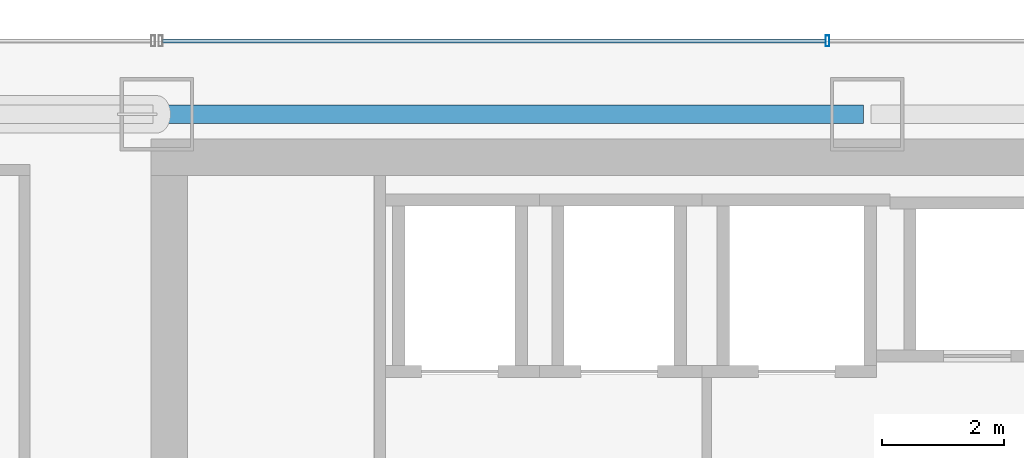
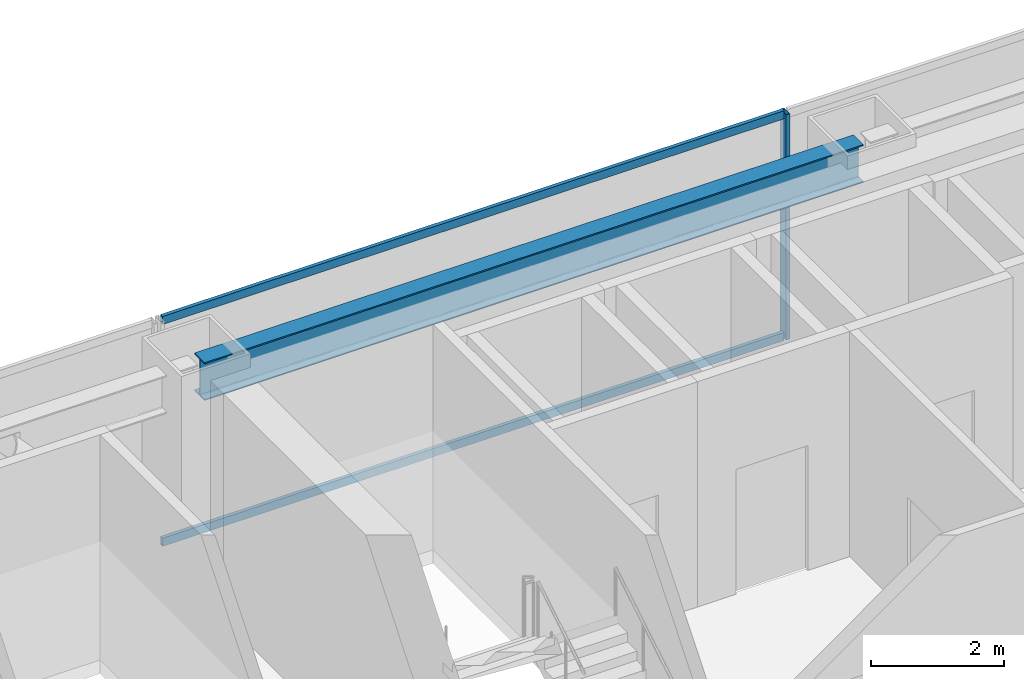
# One storey, part 27 of 47: 3 members, 1 beam, 1 element without a shape of its own.
"""IFC4 building model written with IfcOpenShell, lengths in metres."""

from ifc_helpers import new_model, si_unit, direction, frame, origin, origin_2d, place, context, subcontext, project, spatial, hollow_rectangle, i_section, extrude, material, material_profile, profile_set, type_object, element, aggregate, save


model = new_model("IFC4")

# Units and contexts
model_context = context("Model", 3, precision=1e-05, world=origin(), true_north=direction((0.0, 1.0)))
body_context = subcontext(model_context, "Body", "Model", "MODEL_VIEW")
ifc_project = project(units=[si_unit("LENGTHUNIT", "METRE"), si_unit("AREAUNIT", "SQUARE_METRE"), si_unit("VOLUMEUNIT", "CUBIC_METRE"), si_unit("PLANEANGLEUNIT", "RADIAN"), si_unit("MASSUNIT", "GRAM", prefix="KILO")], contexts=[model_context])

# Site, building, storey
site_placement = place(None, origin())
site = spatial("IfcSite", under=ifc_project, at=site_placement, CompositionType="ELEMENT")
building_placement = place(site_placement, origin())
building = spatial("IfcBuilding", under=site, at=building_placement, Name="Saevonmaru Cultural Tower", CompositionType="ELEMENT")
storey_placement = place(building_placement, frame((0.0, 0.0, 42.800048828125)))
storey = spatial("IfcBuildingStorey", under=building, at=storey_placement, Name="L08", CompositionType="ELEMENT", Elevation=42.800048828125)

# Beam
ifc_material_1 = material(Name="Steel SM355", Category="steel")
ifc_material_profile_1 = material_profile(ifc_material_1, i_section(OverallWidth=0.300048828125, OverallDepth=0.699951171875, WebThickness=0.012939453125, FlangeThickness=0.02392578125, FilletRadius=0.02587890625, at=origin_2d()), Name="H-700x300x13x24")
ifc_profile_set_1 = profile_set([ifc_material_profile_1], Name="Steel SM355")
beam_type = type_object("IfcBeamType", Name="BM-SP-H700", PredefinedType="SPANDREL", material=ifc_profile_set_1)
beam_placement = place(storey_placement, frame((13.659912109375, 54.800048828125, 3.800048828125), z_axis=(1.0, 0.0, 0.0), x_axis=(0.0, 1.0, 0.0)))
element("IfcBeam", 1, at=beam_placement, inside=storey, type_object=beam_type, Name="L08 North Spine Girder 2", PredefinedType="SPANDREL", context=body_context, shape_type="SweptSolid", body=[
    extrude(i_section(OverallWidth=0.300048828125, OverallDepth=0.699951171875, WebThickness=0.012939453125, FlangeThickness=0.02392578125, FilletRadius=0.02587890625, at=origin_2d()), origin(), (0.0, 0.0, 1.0), 11.47998046875),
])

# Curtain wall, members
ifc_material_2 = material(Name="Satin Bronze Anodised Aluminium", Category="aluminium")
curtain_wall_type = type_object("IfcCurtainWallType", Name="CW-TYP-A", PredefinedType="NOTDEFINED", material=ifc_material_2)
curtain_wall_placement = place(storey_placement, origin())
curtain_wall = element("IfcCurtainWall", 2, at=curtain_wall_placement, inside=storey, type_object=curtain_wall_type, Name="L08 North Spine Unitised Curtain Wall E10B", PredefinedType="NOTDEFINED")
ifc_material_profile_2 = material_profile(ifc_material_2, hollow_rectangle(XDim=0.06494140625, YDim=0.179931640625, WallThickness=0.00390625, at=origin_2d()), Name="ALU-MULL-180x65x4")
ifc_profile_set_2 = profile_set([ifc_material_profile_2], Name="Satin Bronze Anodised Aluminium")
member_type_1 = type_object("IfcMemberType", Name="ML-CW-180x65", PredefinedType="MULLION", material=ifc_profile_set_2)
member_1_placement = place(storey_placement, frame((24.55322265625, 56.0, 0.0), z_axis=(0.0, 0.0, 1.0), x_axis=(-1.0, 0.0, 0.0)))
member_1 = element("IfcMember", 3, at=member_1_placement, type_object=member_type_1, Name="CW-TW-L08-E10B mullion 3", PredefinedType="MULLION", context=body_context, shape_type="SweptSolid", body=[
    extrude(hollow_rectangle(XDim=0.06494140625, YDim=0.179931640625, WallThickness=0.00390625, at=origin_2d()), origin(), (0.0, 0.0, 1.0), 4.14990234375),
])
ifc_material_profile_3 = material_profile(ifc_material_2, hollow_rectangle(XDim=0.06494140625, YDim=0.14990234375, WallThickness=0.00390625, at=origin_2d()), Name="ALU-TRAN-150x65x4")
ifc_profile_set_3 = profile_set([ifc_material_profile_3], Name="Satin Bronze Anodised Aluminium")
member_type_2 = type_object("IfcMemberType", Name="TR-CW-150x65", PredefinedType="USERDEFINED", material=ifc_profile_set_3)
member_2_placement = place(storey_placement, frame((24.520751953125, 56.0, 0.032470703125), z_axis=(-1.0, 0.0, 0.0), x_axis=(0.0, -1.0, 0.0)))
member_2 = element("IfcMember", 4, at=member_2_placement, type_object=member_type_2, Name="CW-TW-L08-E10B transom 3.1", ObjectType="TRANSOM", PredefinedType="USERDEFINED", context=body_context, shape_type="SweptSolid", body=[
    extrude(hollow_rectangle(XDim=0.06494140625, YDim=0.14990234375, WallThickness=0.00390625, at=origin_2d()), origin(), (0.0, 0.0, 1.0), 10.828369140625),
])
member_3_placement = place(storey_placement, frame((24.520751953125, 56.0, 4.117431640625), z_axis=(-1.0, 0.0, 0.0), x_axis=(0.0, -1.0, 0.0)))
member_3 = element("IfcMember", 5, at=member_3_placement, type_object=member_type_2, Name="CW-TW-L08-E10B transom 3.2", ObjectType="TRANSOM", PredefinedType="USERDEFINED", context=body_context, shape_type="SweptSolid", body=[
    extrude(hollow_rectangle(XDim=0.06494140625, YDim=0.14990234375, WallThickness=0.00390625, at=origin_2d()), origin(), (0.0, 0.0, 1.0), 10.828369140625),
])
aggregate(curtain_wall, [member_1, member_2, member_3])

save(model, "model.ifc")
